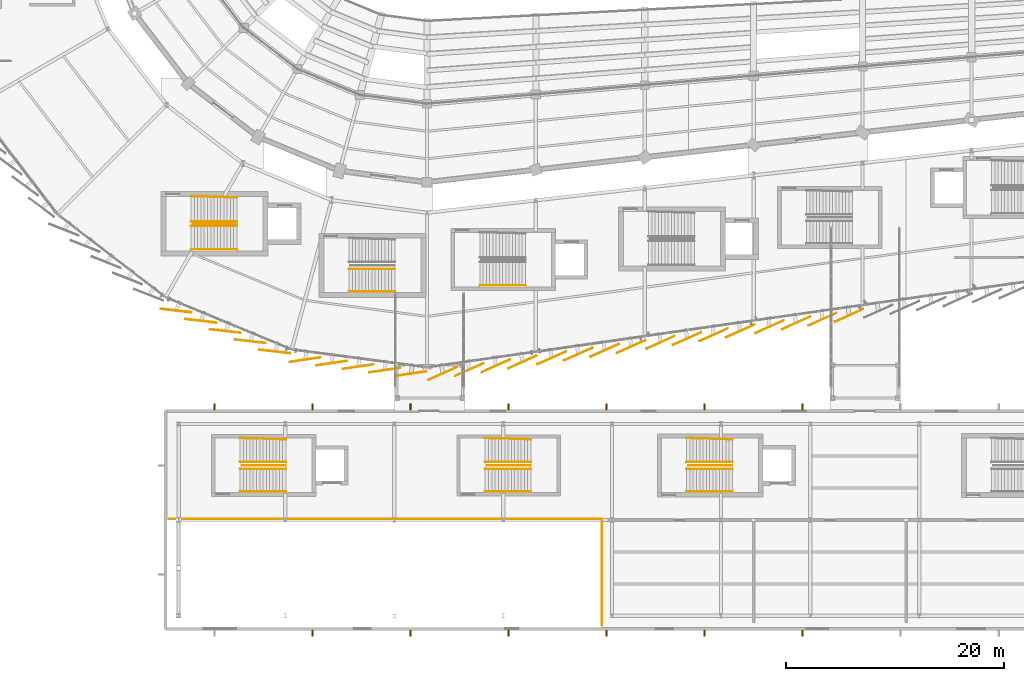
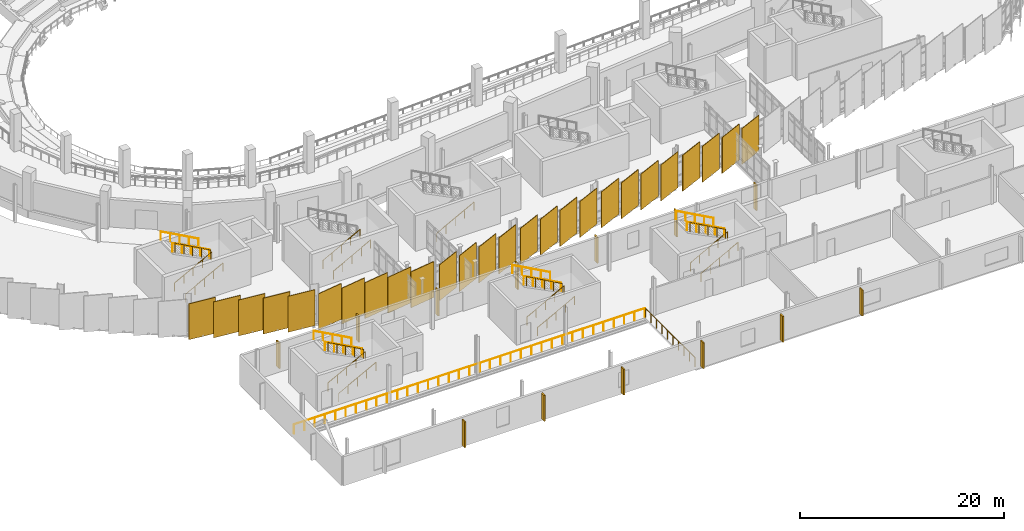
# One storey, part 124 of 134: 26 coverings, 25 railings, 13 shading devices.
"""IFC4 building model written with IfcOpenShell, lengths in metres."""

from ifc_helpers import new_model, si_unit, direction, frame, origin, origin_2d, place, context, subcontext, project, spatial, rectangle, circle, extrude, material, layer, layer_set, type_object, element, save


model = new_model("IFC4")

# Units and contexts
model_context = context("Model", 3, precision=1e-05, world=origin(), true_north=direction((0.0, 1.0)))
body_context = subcontext(model_context, "Body", "Model", "MODEL_VIEW")
ifc_project = project(units=[si_unit("LENGTHUNIT", "METRE"), si_unit("AREAUNIT", "SQUARE_METRE"), si_unit("VOLUMEUNIT", "CUBIC_METRE"), si_unit("PLANEANGLEUNIT", "RADIAN"), si_unit("MASSUNIT", "GRAM", prefix="KILO")], contexts=[model_context])

# Site, building, storey
site_placement = place(None, origin())
site = spatial("IfcSite", under=ifc_project, at=site_placement, CompositionType="ELEMENT")
building_placement = place(site_placement, origin())
building = spatial("IfcBuilding", under=site, at=building_placement, Name="Sohan Crest Arena", CompositionType="ELEMENT")
storey_placement = place(building_placement, frame((0.0, 0.0, 4.5)))
storey = spatial("IfcBuildingStorey", under=building, at=storey_placement, Name="L01", CompositionType="ELEMENT", Elevation=4.5)

# Railings
ifc_material_1 = material(Name="Powder-coated wrought steel balustrade", Category="steel")
railing_type_1 = type_object("IfcRailingType", Name="ARC-GRD-01", PredefinedType="GUARDRAIL", material=ifc_material_1)
for number, where, name in (
    (1, (80.530029296875, 43.199951171875, 2.25), "Stair well slot guard GRD-017"),
    (2, (107.530029296875, 21.0, 2.25), "Stair well slot guard GRD-068"),
    (3, (85.030029296875, 21.0, 2.25), "Stair well slot guard GRD-089"),
    (4, (126.030029296875, 21.0, 2.25), "Stair well slot guard GRD-095"),
):
    element("IfcRailing", number, at=place(storey_placement, frame(where)), inside=storey, type_object=railing_type_1, Name=name, PredefinedType="GUARDRAIL", context=body_context, shape_type="SweptSolid", body=[
        extrude(circle(Radius=0.02392578125, at=origin_2d()), frame((0.0, 0.0, 1.076171875), z_axis=(-0.87313487534, 0.0, 0.487478706678), x_axis=(0.0, -1.0, 0.0)), (0.0, 0.0, 1.0), 4.615478515625),
        extrude(circle(Radius=0.02099609375, at=origin_2d()), origin(), (0.0, 0.0, 1.0), 1.052001953125),
        extrude(circle(Radius=0.02099609375, at=origin_2d()), frame((-1.007568359375, 0.0, 0.5625)), (0.0, 0.0, 1.0), 1.052001953125),
        extrude(circle(Radius=0.02099609375, at=origin_2d()), frame((-2.01513671875, 0.0, 1.125)), (0.0, 0.0, 1.0), 1.052001953125),
        extrude(circle(Radius=0.02099609375, at=origin_2d()), frame((-3.0224609375, 0.0, 1.6875)), (0.0, 0.0, 1.0), 1.052001953125),
        extrude(circle(Radius=0.02099609375, at=origin_2d()), frame((-4.030029296875, 0.0, 2.25)), (0.0, 0.0, 1.0), 1.052001953125),
    ])
railing_1_placement = place(storey_placement, frame((74.340087890625, 16.080078125, 0.0)))
element("IfcRailing", 5, at=railing_1_placement, inside=storey, type_object=railing_type_1, Name="Loading dock gallery guard GRD-303", PredefinedType="GUARDRAIL", context=body_context, shape_type="SweptSolid", body=[
    extrude(circle(Radius=0.02392578125, at=origin_2d()), frame((0.0, 0.0, 1.076171875), z_axis=(1.0, 0.0, 0.0), x_axis=(0.0, 1.0, 0.0)), (0.0, 0.0, 1.0), 39.699951171875),
    extrude(circle(Radius=0.02099609375, at=origin_2d()), origin(), (0.0, 0.0, 1.0), 1.052001953125),
    extrude(circle(Radius=0.02099609375, at=origin_2d()), frame((1.167724609375, 0.0, 0.0)), (0.0, 0.0, 1.0), 1.052001953125),
    extrude(circle(Radius=0.02099609375, at=origin_2d()), frame((2.335205078125, 0.0, 0.0)), (0.0, 0.0, 1.0), 1.052001953125),
    extrude(circle(Radius=0.02099609375, at=origin_2d()), frame((3.5029296875, 0.0, 0.0)), (0.0, 0.0, 1.0), 1.052001953125),
    extrude(circle(Radius=0.02099609375, at=origin_2d()), frame((4.670654296875, 0.0, 0.0)), (0.0, 0.0, 1.0), 1.052001953125),
    extrude(circle(Radius=0.02099609375, at=origin_2d()), frame((5.838134765625, 0.0, 0.0)), (0.0, 0.0, 1.0), 1.052001953125),
    extrude(circle(Radius=0.02099609375, at=origin_2d()), frame((7.005859375, 0.0, 0.0)), (0.0, 0.0, 1.0), 1.052001953125),
    extrude(circle(Radius=0.02099609375, at=origin_2d()), frame((8.173583984375, 0.0, 0.0)), (0.0, 0.0, 1.0), 1.052001953125),
    extrude(circle(Radius=0.02099609375, at=origin_2d()), frame((9.341064453125, 0.0, 0.0)), (0.0, 0.0, 1.0), 1.052001953125),
    extrude(circle(Radius=0.02099609375, at=origin_2d()), frame((10.5087890625, 0.0, 0.0)), (0.0, 0.0, 1.0), 1.052001953125),
    extrude(circle(Radius=0.02099609375, at=origin_2d()), frame((11.676513671875, 0.0, 0.0)), (0.0, 0.0, 1.0), 1.052001953125),
    extrude(circle(Radius=0.02099609375, at=origin_2d()), frame((12.843994140625, 0.0, 0.0)), (0.0, 0.0, 1.0), 1.052001953125),
    extrude(circle(Radius=0.02099609375, at=origin_2d()), frame((14.01171875, 0.0, 0.0)), (0.0, 0.0, 1.0), 1.052001953125),
    extrude(circle(Radius=0.02099609375, at=origin_2d()), frame((15.179443359375, 0.0, 0.0)), (0.0, 0.0, 1.0), 1.052001953125),
    extrude(circle(Radius=0.02099609375, at=origin_2d()), frame((16.346923828125, 0.0, 0.0)), (0.0, 0.0, 1.0), 1.052001953125),
    extrude(circle(Radius=0.02099609375, at=origin_2d()), frame((17.5146484375, 0.0, 0.0)), (0.0, 0.0, 1.0), 1.052001953125),
    extrude(circle(Radius=0.02099609375, at=origin_2d()), frame((18.682373046875, 0.0, 0.0)), (0.0, 0.0, 1.0), 1.052001953125),
    extrude(circle(Radius=0.02099609375, at=origin_2d()), frame((19.85009765625, 0.0, 0.0)), (0.0, 0.0, 1.0), 1.052001953125),
    extrude(circle(Radius=0.02099609375, at=origin_2d()), frame((21.017578125, 0.0, 0.0)), (0.0, 0.0, 1.0), 1.052001953125),
    extrude(circle(Radius=0.02099609375, at=origin_2d()), frame((22.185302734375, 0.0, 0.0)), (0.0, 0.0, 1.0), 1.052001953125),
    extrude(circle(Radius=0.02099609375, at=origin_2d()), frame((23.35302734375, 0.0, 0.0)), (0.0, 0.0, 1.0), 1.052001953125),
    extrude(circle(Radius=0.02099609375, at=origin_2d()), frame((24.5205078125, 0.0, 0.0)), (0.0, 0.0, 1.0), 1.052001953125),
    extrude(circle(Radius=0.02099609375, at=origin_2d()), frame((25.688232421875, 0.0, 0.0)), (0.0, 0.0, 1.0), 1.052001953125),
    extrude(circle(Radius=0.02099609375, at=origin_2d()), frame((26.85595703125, 0.0, 0.0)), (0.0, 0.0, 1.0), 1.052001953125),
    extrude(circle(Radius=0.02099609375, at=origin_2d()), frame((28.0234375, 0.0, 0.0)), (0.0, 0.0, 1.0), 1.052001953125),
    extrude(circle(Radius=0.02099609375, at=origin_2d()), frame((29.191162109375, 0.0, 0.0)), (0.0, 0.0, 1.0), 1.052001953125),
    extrude(circle(Radius=0.02099609375, at=origin_2d()), frame((30.35888671875, 0.0, 0.0)), (0.0, 0.0, 1.0), 1.052001953125),
    extrude(circle(Radius=0.02099609375, at=origin_2d()), frame((31.5263671875, 0.0, 0.0)), (0.0, 0.0, 1.0), 1.052001953125),
    extrude(circle(Radius=0.02099609375, at=origin_2d()), frame((32.694091796875, 0.0, 0.0)), (0.0, 0.0, 1.0), 1.052001953125),
    extrude(circle(Radius=0.02099609375, at=origin_2d()), frame((33.86181640625, 0.0, 0.0)), (0.0, 0.0, 1.0), 1.052001953125),
    extrude(circle(Radius=0.02099609375, at=origin_2d()), frame((35.029296875, 0.0, 0.0)), (0.0, 0.0, 1.0), 1.052001953125),
    extrude(circle(Radius=0.02099609375, at=origin_2d()), frame((36.197021484375, 0.0, 0.0)), (0.0, 0.0, 1.0), 1.052001953125),
    extrude(circle(Radius=0.02099609375, at=origin_2d()), frame((37.36474609375, 0.0, 0.0)), (0.0, 0.0, 1.0), 1.052001953125),
    extrude(circle(Radius=0.02099609375, at=origin_2d()), frame((38.5322265625, 0.0, 0.0)), (0.0, 0.0, 1.0), 1.052001953125),
    extrude(circle(Radius=0.02099609375, at=origin_2d()), frame((39.699951171875, 0.0, 0.0)), (0.0, 0.0, 1.0), 1.052001953125),
])
railing_2_placement = place(storey_placement, frame((114.080078125, 16.0400390625, 0.0)))
element("IfcRailing", 6, at=railing_2_placement, inside=storey, type_object=railing_type_1, Name="Loading dock gallery guard GRD-304", PredefinedType="GUARDRAIL", context=body_context, shape_type="SweptSolid", body=[
    extrude(circle(Radius=0.02392578125, at=origin_2d()), frame((0.0, 0.0, 1.076171875), z_axis=(0.0, -1.0, 0.0), x_axis=(1.0, 0.0, 0.0)), (0.0, 0.0, 1.0), 9.699951171875),
    extrude(circle(Radius=0.02099609375, at=origin_2d()), origin(), (0.0, 0.0, 1.0), 1.052001953125),
    extrude(circle(Radius=0.02099609375, at=origin_2d()), frame((0.0, -1.077880859375, 0.0)), (0.0, 0.0, 1.0), 1.052001953125),
    extrude(circle(Radius=0.02099609375, at=origin_2d()), frame((0.0, -2.155517578125, 0.0)), (0.0, 0.0, 1.0), 1.052001953125),
    extrude(circle(Radius=0.02099609375, at=origin_2d()), frame((0.0, -3.2333984375, 0.0)), (0.0, 0.0, 1.0), 1.052001953125),
    extrude(circle(Radius=0.02099609375, at=origin_2d()), frame((0.0, -4.31103515625, 0.0)), (0.0, 0.0, 1.0), 1.052001953125),
    extrude(circle(Radius=0.02099609375, at=origin_2d()), frame((0.0, -5.388916015625, 0.0)), (0.0, 0.0, 1.0), 1.052001953125),
    extrude(circle(Radius=0.02099609375, at=origin_2d()), frame((0.0, -6.466552734375, 0.0)), (0.0, 0.0, 1.0), 1.052001953125),
    extrude(circle(Radius=0.02099609375, at=origin_2d()), frame((0.0, -7.54443359375, 0.0)), (0.0, 0.0, 1.0), 1.052001953125),
    extrude(circle(Radius=0.02099609375, at=origin_2d()), frame((0.0, -8.6220703125, 0.0)), (0.0, 0.0, 1.0), 1.052001953125),
    extrude(circle(Radius=0.02099609375, at=origin_2d()), frame((0.0, -9.699951171875, 0.0)), (0.0, 0.0, 1.0), 1.052001953125),
])
ifc_material_2 = material(Name="Brushed stainless steel stair handrail", Category="steel")
railing_type_2 = type_object("IfcRailingType", Name="ARC-HR-01", PredefinedType="HANDRAIL", material=ifc_material_2)
for number, where, name in (
    (7, (76.35009765625, 40.81005859375, 0.0), "Stair pitch handrail HR-057"),
    (8, (76.35009765625, 42.989990234375, 0.0), "Stair pitch handrail HR-058"),
):
    element("IfcRailing", number, at=place(storey_placement, frame(where)), inside=storey, type_object=railing_type_2, Name=name, PredefinedType="HANDRAIL", context=body_context, shape_type="SweptSolid", body=[
        extrude(circle(Radius=0.02392578125, at=origin_2d()), frame((0.0, 0.0, 0.97607421875), z_axis=(0.881477684796, 0.0, 0.472225678258), x_axis=(0.0, 1.0, 0.0)), (0.0, 0.0, 1.0), 4.7646484375),
        extrude(circle(Radius=0.02099609375, at=origin_2d()), origin(), (0.0, 0.0, 1.0), 0.951904296875),
        extrude(circle(Radius=0.02099609375, at=origin_2d()), frame((1.050048828125, 0.0, 0.5625)), (0.0, 0.0, 1.0), 0.951904296875),
        extrude(circle(Radius=0.02099609375, at=origin_2d()), frame((2.10009765625, 0.0, 1.125)), (0.0, 0.0, 1.0), 0.951904296875),
        extrude(circle(Radius=0.02099609375, at=origin_2d()), frame((3.14990234375, 0.0, 1.6875)), (0.0, 0.0, 1.0), 0.951904296875),
        extrude(circle(Radius=0.02099609375, at=origin_2d()), frame((4.199951171875, 0.0, 2.25)), (0.0, 0.0, 1.0), 0.951904296875),
    ])
railing_3_placement = place(storey_placement, frame((80.550048828125, 43.409912109375, 2.25)))
element("IfcRailing", 9, at=railing_3_placement, inside=storey, type_object=railing_type_2, Name="Stair pitch handrail HR-059", PredefinedType="HANDRAIL", context=body_context, shape_type="SweptSolid", body=[
    extrude(circle(Radius=0.02392578125, at=origin_2d()), frame((0.0, 0.0, 0.97607421875), z_axis=(-0.881477684796, 0.0, 0.472225678258), x_axis=(0.0, -1.0, 0.0)), (0.0, 0.0, 1.0), 4.7646484375),
    extrude(circle(Radius=0.02099609375, at=origin_2d()), origin(), (0.0, 0.0, 1.0), 0.951904296875),
    extrude(circle(Radius=0.02099609375, at=origin_2d()), frame((-1.050048828125, 0.0, 0.5625)), (0.0, 0.0, 1.0), 0.951904296875),
    extrude(circle(Radius=0.02099609375, at=origin_2d()), frame((-2.10009765625, 0.0, 1.125)), (0.0, 0.0, 1.0), 0.951904296875),
    extrude(circle(Radius=0.02099609375, at=origin_2d()), frame((-3.14990234375, 0.0, 1.6875)), (0.0, 0.0, 1.0), 0.951904296875),
    extrude(circle(Radius=0.02099609375, at=origin_2d()), frame((-4.199951171875, 0.0, 2.25)), (0.0, 0.0, 1.0), 0.951904296875),
])
railing_4_placement = place(storey_placement, frame((80.550048828125, 45.590087890625, 2.25)))
element("IfcRailing", 10, at=railing_4_placement, inside=storey, type_object=railing_type_2, Name="Stair pitch handrail HR-060", PredefinedType="HANDRAIL", context=body_context, shape_type="SweptSolid", body=[
    extrude(circle(Radius=0.02392578125, at=origin_2d()), frame((0.0, 0.0, 0.97607421875), z_axis=(-0.881198846469, 0.025150766356, 0.472076298847), x_axis=(-0.028529915312, -0.999592939117, 0.0)), (0.0, 0.0, 1.0), 4.76611328125),
    extrude(circle(Radius=0.02099609375, at=origin_2d()), origin(), (0.0, 0.0, 1.0), 0.951904296875),
    extrude(circle(Radius=0.02099609375, at=origin_2d()), frame((-1.050048828125, 0.030029296875, 0.5625)), (0.0, 0.0, 1.0), 0.951904296875),
    extrude(circle(Radius=0.02099609375, at=origin_2d()), frame((-2.10009765625, 0.06005859375, 1.125)), (0.0, 0.0, 1.0), 0.951904296875),
    extrude(circle(Radius=0.02099609375, at=origin_2d()), frame((-3.14990234375, 0.08984375, 1.6875)), (0.0, 0.0, 1.0), 0.951904296875),
    extrude(circle(Radius=0.02099609375, at=origin_2d()), frame((-4.199951171875, 0.119873046875, 2.25)), (0.0, 0.0, 1.0), 0.951904296875),
])
for number, where, name in (
    (11, (102.85009765625, 37.510009765625, 0.0), "Stair pitch handrail HR-101"),
    (12, (103.35009765625, 18.610107421875, 0.0), "Stair pitch handrail HR-225"),
    (13, (103.35009765625, 20.68994140625, 0.0), "Stair pitch handrail HR-226"),
):
    element("IfcRailing", number, at=place(storey_placement, frame(where)), inside=storey, type_object=railing_type_2, Name=name, PredefinedType="HANDRAIL", context=body_context, shape_type="SweptSolid", body=[
        extrude(circle(Radius=0.02392578125, at=origin_2d()), frame((0.0, 0.0, 0.97607421875), z_axis=(0.881477684796, 0.0, 0.472225678258), x_axis=(0.0, 1.0, 0.0)), (0.0, 0.0, 1.0), 4.7646484375),
        extrude(circle(Radius=0.02099609375, at=origin_2d()), origin(), (0.0, 0.0, 1.0), 0.951904296875),
        extrude(circle(Radius=0.02099609375, at=origin_2d()), frame((1.050048828125, 0.0, 0.5625)), (0.0, 0.0, 1.0), 0.951904296875),
        extrude(circle(Radius=0.02099609375, at=origin_2d()), frame((2.10009765625, 0.0, 1.125)), (0.0, 0.0, 1.0), 0.951904296875),
        extrude(circle(Radius=0.02099609375, at=origin_2d()), frame((3.14990234375, 0.0, 1.6875)), (0.0, 0.0, 1.0), 0.951904296875),
        extrude(circle(Radius=0.02099609375, at=origin_2d()), frame((4.199951171875, 0.0, 2.25)), (0.0, 0.0, 1.0), 0.951904296875),
    ])
railing_5_placement = place(storey_placement, frame((107.550048828125, 21.31005859375, 2.25)))
element("IfcRailing", 14, at=railing_5_placement, inside=storey, type_object=railing_type_2, Name="Stair pitch handrail HR-227", PredefinedType="HANDRAIL", context=body_context, shape_type="SweptSolid", body=[
    extrude(circle(Radius=0.02392578125, at=origin_2d()), frame((0.0, 0.0, 0.97607421875), z_axis=(-0.881477684796, 0.0, 0.472225678258), x_axis=(0.0, -1.0, 0.0)), (0.0, 0.0, 1.0), 4.7646484375),
    extrude(circle(Radius=0.02099609375, at=origin_2d()), origin(), (0.0, 0.0, 1.0), 0.951904296875),
    extrude(circle(Radius=0.02099609375, at=origin_2d()), frame((-1.050048828125, 0.0, 0.5625)), (0.0, 0.0, 1.0), 0.951904296875),
    extrude(circle(Radius=0.02099609375, at=origin_2d()), frame((-2.10009765625, 0.0, 1.125)), (0.0, 0.0, 1.0), 0.951904296875),
    extrude(circle(Radius=0.02099609375, at=origin_2d()), frame((-3.14990234375, 0.0, 1.6875)), (0.0, 0.0, 1.0), 0.951904296875),
    extrude(circle(Radius=0.02099609375, at=origin_2d()), frame((-4.199951171875, 0.0, 2.25)), (0.0, 0.0, 1.0), 0.951904296875),
])
railing_6_placement = place(storey_placement, frame((107.550048828125, 23.389892578125, 2.25)))
element("IfcRailing", 15, at=railing_6_placement, inside=storey, type_object=railing_type_2, Name="Stair pitch handrail HR-228", PredefinedType="HANDRAIL", context=body_context, shape_type="SweptSolid", body=[
    extrude(circle(Radius=0.02392578125, at=origin_2d()), frame((0.0, 0.0, 0.97607421875), z_axis=(-0.881197710057, 0.025201957411, 0.472075690047), x_axis=(-0.028587973606, -0.999591280357, 0.0)), (0.0, 0.0, 1.0), 4.76611328125),
    extrude(circle(Radius=0.02099609375, at=origin_2d()), origin(), (0.0, 0.0, 1.0), 0.951904296875),
    extrude(circle(Radius=0.02099609375, at=origin_2d()), frame((-1.050048828125, 0.030029296875, 0.5625)), (0.0, 0.0, 1.0), 0.951904296875),
    extrude(circle(Radius=0.02099609375, at=origin_2d()), frame((-2.10009765625, 0.06005859375, 1.125)), (0.0, 0.0, 1.0), 0.951904296875),
    extrude(circle(Radius=0.02099609375, at=origin_2d()), frame((-3.14990234375, 0.090087890625, 1.6875)), (0.0, 0.0, 1.0), 0.951904296875),
    extrude(circle(Radius=0.02099609375, at=origin_2d()), frame((-4.199951171875, 0.1201171875, 2.25)), (0.0, 0.0, 1.0), 0.951904296875),
])
for number, where, name in (
    (16, (80.85009765625, 18.610107421875, 0.0), "Stair pitch handrail HR-289"),
    (17, (80.85009765625, 20.68994140625, 0.0), "Stair pitch handrail HR-290"),
):
    element("IfcRailing", number, at=place(storey_placement, frame(where)), inside=storey, type_object=railing_type_2, Name=name, PredefinedType="HANDRAIL", context=body_context, shape_type="SweptSolid", body=[
        extrude(circle(Radius=0.02392578125, at=origin_2d()), frame((0.0, 0.0, 0.97607421875), z_axis=(0.881477684796, 0.0, 0.472225678258), x_axis=(0.0, 1.0, 0.0)), (0.0, 0.0, 1.0), 4.7646484375),
        extrude(circle(Radius=0.02099609375, at=origin_2d()), origin(), (0.0, 0.0, 1.0), 0.951904296875),
        extrude(circle(Radius=0.02099609375, at=origin_2d()), frame((1.050048828125, 0.0, 0.5625)), (0.0, 0.0, 1.0), 0.951904296875),
        extrude(circle(Radius=0.02099609375, at=origin_2d()), frame((2.10009765625, 0.0, 1.125)), (0.0, 0.0, 1.0), 0.951904296875),
        extrude(circle(Radius=0.02099609375, at=origin_2d()), frame((3.14990234375, 0.0, 1.6875)), (0.0, 0.0, 1.0), 0.951904296875),
        extrude(circle(Radius=0.02099609375, at=origin_2d()), frame((4.199951171875, 0.0, 2.25)), (0.0, 0.0, 1.0), 0.951904296875),
    ])
railing_7_placement = place(storey_placement, frame((85.050048828125, 21.31005859375, 2.25)))
element("IfcRailing", 18, at=railing_7_placement, inside=storey, type_object=railing_type_2, Name="Stair pitch handrail HR-291", PredefinedType="HANDRAIL", context=body_context, shape_type="SweptSolid", body=[
    extrude(circle(Radius=0.02392578125, at=origin_2d()), frame((0.0, 0.0, 0.97607421875), z_axis=(-0.881477684796, 0.0, 0.472225678258), x_axis=(0.0, -1.0, 0.0)), (0.0, 0.0, 1.0), 4.7646484375),
    extrude(circle(Radius=0.02099609375, at=origin_2d()), origin(), (0.0, 0.0, 1.0), 0.951904296875),
    extrude(circle(Radius=0.02099609375, at=origin_2d()), frame((-1.050048828125, 0.0, 0.5625)), (0.0, 0.0, 1.0), 0.951904296875),
    extrude(circle(Radius=0.02099609375, at=origin_2d()), frame((-2.10009765625, 0.0, 1.125)), (0.0, 0.0, 1.0), 0.951904296875),
    extrude(circle(Radius=0.02099609375, at=origin_2d()), frame((-3.14990234375, 0.0, 1.6875)), (0.0, 0.0, 1.0), 0.951904296875),
    extrude(circle(Radius=0.02099609375, at=origin_2d()), frame((-4.199951171875, 0.0, 2.25)), (0.0, 0.0, 1.0), 0.951904296875),
])
railing_8_placement = place(storey_placement, frame((85.050048828125, 23.389892578125, 2.25)))
element("IfcRailing", 19, at=railing_8_placement, inside=storey, type_object=railing_type_2, Name="Stair pitch handrail HR-292", PredefinedType="HANDRAIL", context=body_context, shape_type="SweptSolid", body=[
    extrude(circle(Radius=0.02392578125, at=origin_2d()), frame((0.0, 0.0, 0.97607421875), z_axis=(-0.881197710057, 0.025201957411, 0.472075690047), x_axis=(-0.028587973606, -0.999591280357, 0.0)), (0.0, 0.0, 1.0), 4.76611328125),
    extrude(circle(Radius=0.02099609375, at=origin_2d()), origin(), (0.0, 0.0, 1.0), 0.951904296875),
    extrude(circle(Radius=0.02099609375, at=origin_2d()), frame((-1.050048828125, 0.030029296875, 0.5625)), (0.0, 0.0, 1.0), 0.951904296875),
    extrude(circle(Radius=0.02099609375, at=origin_2d()), frame((-2.10009765625, 0.06005859375, 1.125)), (0.0, 0.0, 1.0), 0.951904296875),
    extrude(circle(Radius=0.02099609375, at=origin_2d()), frame((-3.14990234375, 0.090087890625, 1.6875)), (0.0, 0.0, 1.0), 0.951904296875),
    extrude(circle(Radius=0.02099609375, at=origin_2d()), frame((-4.199951171875, 0.1201171875, 2.25)), (0.0, 0.0, 1.0), 0.951904296875),
])
for number, where, name in (
    (20, (121.85009765625, 18.610107421875, 0.0), "Stair pitch handrail HR-309"),
    (21, (121.85009765625, 20.68994140625, 0.0), "Stair pitch handrail HR-310"),
):
    element("IfcRailing", number, at=place(storey_placement, frame(where)), inside=storey, type_object=railing_type_2, Name=name, PredefinedType="HANDRAIL", context=body_context, shape_type="SweptSolid", body=[
        extrude(circle(Radius=0.02392578125, at=origin_2d()), frame((0.0, 0.0, 0.97607421875), z_axis=(0.881477684796, 0.0, 0.472225678258), x_axis=(0.0, 1.0, 0.0)), (0.0, 0.0, 1.0), 4.7646484375),
        extrude(circle(Radius=0.02099609375, at=origin_2d()), origin(), (0.0, 0.0, 1.0), 0.951904296875),
        extrude(circle(Radius=0.02099609375, at=origin_2d()), frame((1.050048828125, 0.0, 0.5625)), (0.0, 0.0, 1.0), 0.951904296875),
        extrude(circle(Radius=0.02099609375, at=origin_2d()), frame((2.10009765625, 0.0, 1.125)), (0.0, 0.0, 1.0), 0.951904296875),
        extrude(circle(Radius=0.02099609375, at=origin_2d()), frame((3.14990234375, 0.0, 1.6875)), (0.0, 0.0, 1.0), 0.951904296875),
        extrude(circle(Radius=0.02099609375, at=origin_2d()), frame((4.199951171875, 0.0, 2.25)), (0.0, 0.0, 1.0), 0.951904296875),
    ])
railing_9_placement = place(storey_placement, frame((126.050048828125, 21.31005859375, 2.25)))
element("IfcRailing", 22, at=railing_9_placement, inside=storey, type_object=railing_type_2, Name="Stair pitch handrail HR-311", PredefinedType="HANDRAIL", context=body_context, shape_type="SweptSolid", body=[
    extrude(circle(Radius=0.02392578125, at=origin_2d()), frame((0.0, 0.0, 0.97607421875), z_axis=(-0.881477684796, 0.0, 0.472225678258), x_axis=(0.0, -1.0, 0.0)), (0.0, 0.0, 1.0), 4.7646484375),
    extrude(circle(Radius=0.02099609375, at=origin_2d()), origin(), (0.0, 0.0, 1.0), 0.951904296875),
    extrude(circle(Radius=0.02099609375, at=origin_2d()), frame((-1.050048828125, 0.0, 0.5625)), (0.0, 0.0, 1.0), 0.951904296875),
    extrude(circle(Radius=0.02099609375, at=origin_2d()), frame((-2.10009765625, 0.0, 1.125)), (0.0, 0.0, 1.0), 0.951904296875),
    extrude(circle(Radius=0.02099609375, at=origin_2d()), frame((-3.14990234375, 0.0, 1.6875)), (0.0, 0.0, 1.0), 0.951904296875),
    extrude(circle(Radius=0.02099609375, at=origin_2d()), frame((-4.199951171875, 0.0, 2.25)), (0.0, 0.0, 1.0), 0.951904296875),
])
railing_10_placement = place(storey_placement, frame((126.050048828125, 23.389892578125, 2.25)))
element("IfcRailing", 23, at=railing_10_placement, inside=storey, type_object=railing_type_2, Name="Stair pitch handrail HR-312", PredefinedType="HANDRAIL", context=body_context, shape_type="SweptSolid", body=[
    extrude(circle(Radius=0.02392578125, at=origin_2d()), frame((0.0, 0.0, 0.97607421875), z_axis=(-0.881197710057, 0.025201957411, 0.472075690047), x_axis=(-0.028587973606, -0.999591280357, 0.0)), (0.0, 0.0, 1.0), 4.76611328125),
    extrude(circle(Radius=0.02099609375, at=origin_2d()), origin(), (0.0, 0.0, 1.0), 0.951904296875),
    extrude(circle(Radius=0.02099609375, at=origin_2d()), frame((-1.050048828125, 0.030029296875, 0.5625)), (0.0, 0.0, 1.0), 0.951904296875),
    extrude(circle(Radius=0.02099609375, at=origin_2d()), frame((-2.10009765625, 0.06005859375, 1.125)), (0.0, 0.0, 1.0), 0.951904296875),
    extrude(circle(Radius=0.02099609375, at=origin_2d()), frame((-3.14990234375, 0.090087890625, 1.6875)), (0.0, 0.0, 1.0), 0.951904296875),
    extrude(circle(Radius=0.02099609375, at=origin_2d()), frame((-4.199951171875, 0.1201171875, 2.25)), (0.0, 0.0, 1.0), 0.951904296875),
])
for number, where, name in (
    (24, (90.85009765625, 36.969970703125, 0.0), "Stair pitch handrail HR-329"),
    (25, (90.85009765625, 39.050048828125, 0.0), "Stair pitch handrail HR-330"),
):
    element("IfcRailing", number, at=place(storey_placement, frame(where)), inside=storey, type_object=railing_type_2, Name=name, PredefinedType="HANDRAIL", context=body_context, shape_type="SweptSolid", body=[
        extrude(circle(Radius=0.02392578125, at=origin_2d()), frame((0.0, 0.0, 0.97607421875), z_axis=(0.881477684796, 0.0, 0.472225678258), x_axis=(0.0, 1.0, 0.0)), (0.0, 0.0, 1.0), 4.7646484375),
        extrude(circle(Radius=0.02099609375, at=origin_2d()), origin(), (0.0, 0.0, 1.0), 0.951904296875),
        extrude(circle(Radius=0.02099609375, at=origin_2d()), frame((1.050048828125, 0.0, 0.5625)), (0.0, 0.0, 1.0), 0.951904296875),
        extrude(circle(Radius=0.02099609375, at=origin_2d()), frame((2.10009765625, 0.0, 1.125)), (0.0, 0.0, 1.0), 0.951904296875),
        extrude(circle(Radius=0.02099609375, at=origin_2d()), frame((3.14990234375, 0.0, 1.6875)), (0.0, 0.0, 1.0), 0.951904296875),
        extrude(circle(Radius=0.02099609375, at=origin_2d()), frame((4.199951171875, 0.0, 2.25)), (0.0, 0.0, 1.0), 0.951904296875),
    ])

# Shading devices
ifc_material_3 = material(Name="Glazed terracotta ceramic solar fin", Category="masonry")
ifc_layer_1 = layer(ifc_material_3, 0.070068359375, Name="Glazed terracotta ceramic solar fin")
ifc_layer_set_1 = layer_set([ifc_layer_1], Name="Glazed terracotta ceramic solar fin")
shading_device_type = type_object("IfcShadingDeviceType", Name="ARC-SHD-FIN1", PredefinedType="USERDEFINED", material=ifc_layer_set_1)
for number, where, z_axis, x_axis, name in (
    (26, (87.5, 5.60009765625, 0.199951171875), (0.0, 0.0, 1.0), (1.0, 0.0, 0.0), "Catalan terracotta facade fin FIN-052"),
    (27, (96.5, 5.60009765625, 0.199951171875), (0.0, 0.0, 1.0), (1.0, 0.0, 0.0), "Catalan terracotta facade fin FIN-053"),
    (28, (105.5, 5.60009765625, 0.199951171875), (0.0, 0.0, 1.0), (1.0, 0.0, 0.0), "Catalan terracotta facade fin FIN-054"),
    (29, (114.5, 5.60009765625, 0.199951171875), (0.0, 0.0, 1.0), (1.0, 0.0, 0.0), "Catalan terracotta facade fin FIN-055"),
    (30, (123.5, 5.60009765625, 0.199951171875), (0.0, 0.0, 1.0), (1.0, 0.0, 0.0), "Catalan terracotta facade fin FIN-056"),
    (31, (132.5, 5.60009765625, 0.199951171875), (0.0, 0.0, 1.0), (1.0, 0.0, 0.0), "Catalan terracotta facade fin FIN-057"),
    (32, (132.5, 26.39990234375, 0.199951171875), (0.0, 0.0, 1.0), (-1.0, 0.0, 0.0), "Catalan terracotta facade fin FIN-066"),
    (33, (123.5, 26.39990234375, 0.199951171875), (0.0, 0.0, 1.0), (-1.0, 0.0, 0.0), "Catalan terracotta facade fin FIN-067"),
    (34, (114.5, 26.39990234375, 0.199951171875), (0.0, 0.0, 1.0), (-1.0, 0.0, 0.0), "Catalan terracotta facade fin FIN-068"),
    (35, (105.5, 26.39990234375, 0.199951171875), (0.0, 0.0, 1.0), (-1.0, 0.0, 0.0), "Catalan terracotta facade fin FIN-069"),
    (36, (96.5, 26.39990234375, 0.199951171875), (0.0, 0.0, 1.0), (-1.0, 0.0, 0.0), "Catalan terracotta facade fin FIN-070"),
    (37, (87.5, 26.39990234375, 0.199951171875), (0.0, 0.0, 1.0), (-1.0, 0.0, 0.0), "Catalan terracotta facade fin FIN-071"),
    (38, (78.5, 26.39990234375, 0.199951171875), (0.0, 0.0, 1.0), (-1.0, 0.0, 0.0), "Catalan terracotta facade fin FIN-072"),
):
    element("IfcShadingDevice", number, at=place(storey_placement, frame(where, z_axis=z_axis, x_axis=x_axis)), inside=storey, type_object=shading_device_type, Name=name, ObjectType="FIN", PredefinedType="USERDEFINED", context=body_context, shape_type="SweptSolid", body=[
        extrude(rectangle(XDim=0.139892578125, YDim=0.550048828125, at=origin_2d()), origin(), (0.0, 0.0, 1.0), 3.10009765625),
    ])

# Coverings
ifc_material_4 = material(Name="Glazed ivory trencadis ceramic cladding", Category="masonry")
ifc_layer_2 = layer(ifc_material_4, 0.06494140625, Name="Glazed ivory trencadis ceramic cladding")
ifc_layer_set_2 = layer_set([ifc_layer_2], Name="Glazed ivory trencadis ceramic cladding")
covering_type_1 = type_object("IfcCoveringType", Name="COV-SC-IV", PredefinedType="CLADDING", material=ifc_layer_set_2)
for number, where, z_axis, x_axis, name in (
    (39, (77.22998046875, 34.27001953125, -0.2001953125), (0.0, 0.0, 1.0), (0.993571855677, -0.113203213768, 0.0), "Rotated trencadis ceramic scale panel SC-0042"),
    (40, (79.498046875, 33.3310546875, -0.2001953125), (0.0, 0.0, 1.0), (0.993571855677, -0.113203213768, 0.0), "Rotated trencadis ceramic scale panel SC-0043"),
    (41, (81.764892578125, 32.39208984375, -0.2001953125), (0.0, 0.0, 1.0), (0.993571855677, -0.113203213768, 0.0), "Rotated trencadis ceramic scale panel SC-0044"),
    (42, (84.032958984375, 31.452880859375, -0.2001953125), (0.0, 0.0, 1.0), (0.993571855677, -0.113203213768, 0.0), "Rotated trencadis ceramic scale panel SC-0045"),
    (43, (86.822998046875, 30.705078125, -0.2001953125), (0.0, 0.0, 1.0), (0.989015863362, 0.14780941113, 0.0), "Rotated trencadis ceramic scale panel SC-0046"),
    (44, (89.256103515625, 30.385009765625, -0.2001953125), (0.0, 0.0, 1.0), (0.989015863362, 0.14780941113, 0.0), "Rotated trencadis ceramic scale panel SC-0047"),
    (45, (91.68896484375, 30.06494140625, -0.2001953125), (0.0, 0.0, 1.0), (0.989015863362, 0.14780941113, 0.0), "Rotated trencadis ceramic scale panel SC-0048"),
    (46, (94.1220703125, 29.743896484375, -0.2001953125), (0.0, 0.0, 1.0), (0.989015863362, 0.14780941113, 0.0), "Rotated trencadis ceramic scale panel SC-0049"),
    (47, (99.4541015625, 29.43994140625, -0.2001953125), (0.0, 0.0, 1.0), (0.912834177233, 0.408330460381, 0.0), "Rotated trencadis ceramic scale panel SC-0051"),
    (48, (101.889892578125, 29.7880859375, -0.2001953125), (0.0, 0.0, 1.0), (0.912834177233, 0.408330460381, 0.0), "Rotated trencadis ceramic scale panel SC-0052"),
    (49, (104.324951171875, 30.135986328125, -0.2001953125), (0.0, 0.0, 1.0), (0.912834177233, 0.408330460381, 0.0), "Rotated trencadis ceramic scale panel SC-0053"),
    (50, (109.4541015625, 30.868896484375, -0.2001953125), (0.0, 0.0, 1.0), (0.912834177233, 0.408330460381, 0.0), "Rotated trencadis ceramic scale panel SC-0055"),
    (51, (111.889892578125, 31.217041015625, -0.2001953125), (0.0, 0.0, 1.0), (0.912834177233, 0.408330460381, 0.0), "Rotated trencadis ceramic scale panel SC-0056"),
    (52, (116.760986328125, 31.9130859375, -0.2001953125), (0.0, 0.0, 1.0), (0.912834177233, 0.408330460381, 0.0), "Rotated trencadis ceramic scale panel SC-0058"),
    (53, (119.4541015625, 32.297119140625, -0.2001953125), (0.0, 0.0, 1.0), (0.912834177233, 0.408330460381, 0.0), "Rotated trencadis ceramic scale panel SC-0059"),
    (54, (124.324951171875, 32.992919921875, -0.2001953125), (0.0, 0.0, 1.0), (0.912834177233, 0.408330460381, 0.0), "Rotated trencadis ceramic scale panel SC-0061"),
    (55, (126.760986328125, 33.342041015625, -0.2001953125), (0.0, 0.0, 1.0), (0.912834177233, 0.408330460381, 0.0), "Rotated trencadis ceramic scale panel SC-0062"),
    (56, (131.889892578125, 34.073974609375, -0.2001953125), (0.0, 0.0, 1.0), (0.912834177233, 0.408330460381, 0.0), "Rotated trencadis ceramic scale panel SC-0064"),
    (57, (134.324951171875, 34.422119140625, -0.2001953125), (0.0, 0.0, 1.0), (0.912834177233, 0.408330460381, 0.0), "Rotated trencadis ceramic scale panel SC-0065"),
    (58, (136.760986328125, 34.77001953125, -0.2001953125), (0.0, 0.0, 1.0), (0.912834177233, 0.408330460381, 0.0), "Rotated trencadis ceramic scale panel SC-0066"),
):
    element("IfcCovering", number, at=place(storey_placement, frame(where, z_axis=z_axis, x_axis=x_axis)), inside=storey, type_object=covering_type_1, Name=name, PredefinedType="CLADDING", context=body_context, shape_type="SweptSolid", body=[
        extrude(rectangle(XDim=2.85009765625, YDim=0.06494140625, at=origin_2d()), origin(), (0.0, 0.0, 1.0), 4.300048828125),
    ])
ifc_material_5 = material(Name="Glazed terracotta trencadis ceramic cladding", Category="masonry")
ifc_layer_3 = layer(ifc_material_5, 0.074951171875, Name="Glazed terracotta trencadis ceramic cladding")
ifc_layer_set_3 = layer_set([ifc_layer_3], Name="Glazed terracotta trencadis ceramic cladding")
covering_type_2 = type_object("IfcCoveringType", Name="COV-SC-TC", PredefinedType="CLADDING", material=ifc_layer_set_3)
for number, where, z_axis, x_axis, name in (
    (59, (74.962890625, 35.208984375, -0.2001953125), (0.0, 0.0, 1.0), (0.993571855677, -0.113203213768, 0.0), "Rotated trencadis ceramic scale panel SC-0041"),
    (60, (96.554931640625, 29.424072265625, -0.2001953125), (0.0, 0.0, 1.0), (0.989015863362, 0.14780941113, 0.0), "Rotated trencadis ceramic scale panel SC-0050"),
    (61, (106.760986328125, 30.485107421875, -0.2001953125), (0.0, 0.0, 1.0), (0.912834177233, 0.408330460381, 0.0), "Rotated trencadis ceramic scale panel SC-0054"),
    (62, (114.324951171875, 31.56494140625, -0.2001953125), (0.0, 0.0, 1.0), (0.912834177233, 0.408330460381, 0.0), "Rotated trencadis ceramic scale panel SC-0057"),
    (63, (121.889892578125, 32.64501953125, -0.2001953125), (0.0, 0.0, 1.0), (0.912834177233, 0.408330460381, 0.0), "Rotated trencadis ceramic scale panel SC-0060"),
    (64, (129.4541015625, 33.72607421875, -0.2001953125), (0.0, 0.0, 1.0), (0.912834177233, 0.408330460381, 0.0), "Rotated trencadis ceramic scale panel SC-0063"),
):
    element("IfcCovering", number, at=place(storey_placement, frame(where, z_axis=z_axis, x_axis=x_axis)), inside=storey, type_object=covering_type_2, Name=name, PredefinedType="CLADDING", context=body_context, shape_type="SweptSolid", body=[
        extrude(rectangle(XDim=2.85009765625, YDim=0.074951171875, at=origin_2d()), origin(), (0.0, 0.0, 1.0), 4.300048828125),
    ])

save(model, "model.ifc")
